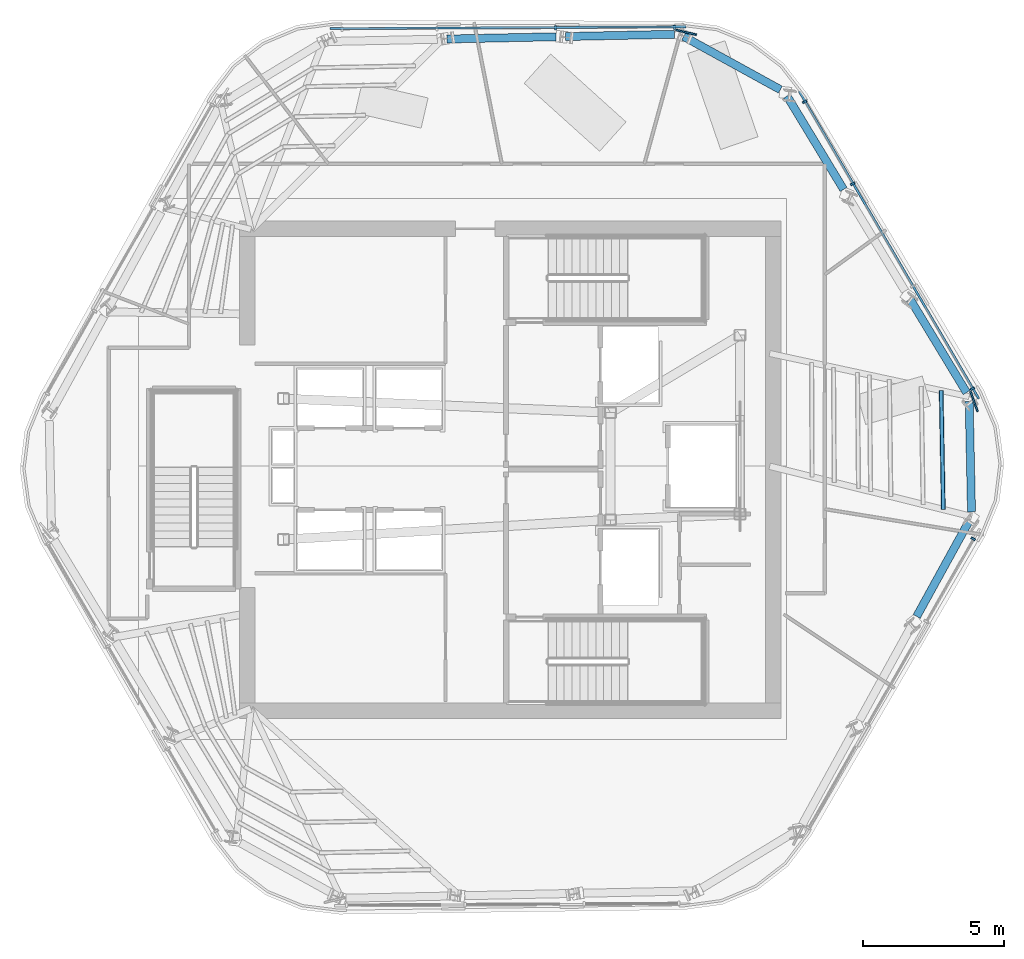
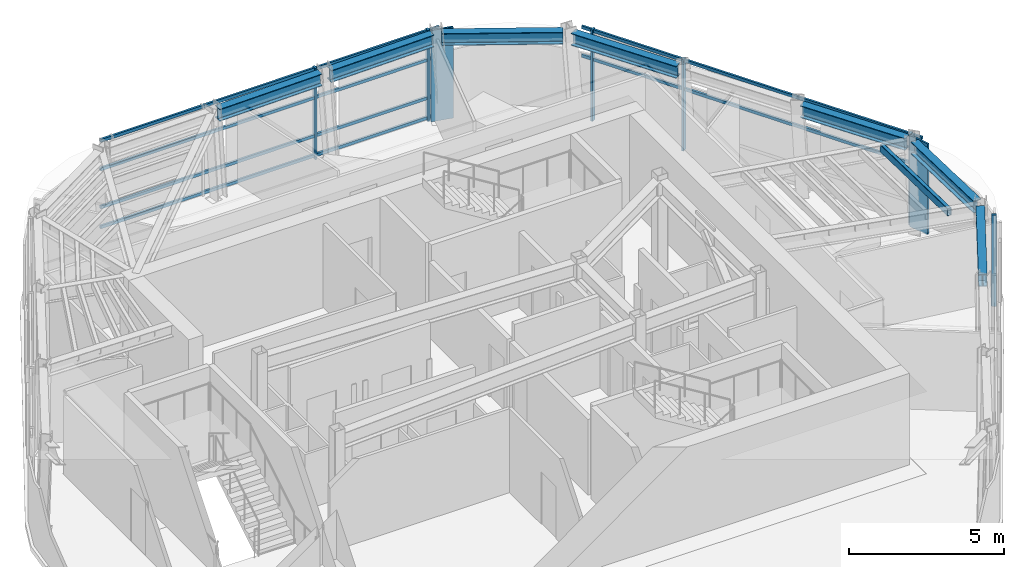
# One storey, part 5 of 13: 15 members, 7 beams, 3 elements without a shape of their own.
"""IFC4 building model written with IfcOpenShell, lengths in metres."""

from ifc_helpers import new_model, si_unit, direction, frame, origin, origin_2d, place, context, subcontext, project, spatial, rectangle, hollow_rectangle, i_section, extrude, material, layer, layer_set, material_profile, profile_set, type_object, element, aggregate, save


model = new_model("IFC4")

# Units and contexts
model_context = context("Model", 3, precision=1e-05, world=origin(), true_north=direction((0.0, 1.0)))
body_context = subcontext(model_context, "Body", "Model", "MODEL_VIEW")
ifc_project = project(units=[si_unit("LENGTHUNIT", "METRE"), si_unit("AREAUNIT", "SQUARE_METRE"), si_unit("VOLUMEUNIT", "CUBIC_METRE"), si_unit("PLANEANGLEUNIT", "RADIAN"), si_unit("MASSUNIT", "GRAM", prefix="KILO")], contexts=[model_context])

# Site, building, storey
site_placement = place(None, origin())
site = spatial("IfcSite", under=ifc_project, at=site_placement, CompositionType="ELEMENT")
building_placement = place(site_placement, origin())
building = spatial("IfcBuilding", under=site, at=building_placement, Name="Valkerne Bourse Tower", CompositionType="ELEMENT")
storey_placement = place(building_placement, frame((0.0, 0.0, 285.0)))
storey = spatial("IfcBuildingStorey", under=building, at=storey_placement, Name="L72", CompositionType="ELEMENT", Elevation=285.0)

# Beams
ifc_material_1 = material(Name="Steel ASTM A992", Category="steel")
ifc_material_profile_1 = material_profile(ifc_material_1, i_section(OverallWidth=0.284423828125, OverallDepth=0.47509765625, WebThickness=0.014892578125, FlangeThickness=0.02392578125, FilletRadius=0.017822265625, at=origin_2d()), Name="W18X106")
ifc_profile_set_1 = profile_set([ifc_material_profile_1], Name="Steel ASTM A992")
beam_type = type_object("IfcBeamType", Name="BM-W18X106", PredefinedType="BEAM", material=ifc_profile_set_1)
beam_1_placement = place(storey_placement, frame((52.62841796875, 42.32421875, 3.362548828125), z_axis=(-0.999780890421, -0.020932538035, 0.0), x_axis=(0.020932538035, -0.999780890421, 0.0)))
element("IfcBeam", 1, at=beam_1_placement, inside=storey, type_object=beam_type, Name="L72 Hexagonal Spandrel Ring Beam 00", PredefinedType="BEAM", context=body_context, shape_type="SweptSolid", body=[
    extrude(i_section(OverallWidth=0.284423828125, OverallDepth=0.47509765625, WebThickness=0.014892578125, FlangeThickness=0.02392578125, FilletRadius=0.017822265625, at=origin_2d()), origin(), (0.0, 0.0, 1.0), 3.8720703125),
])
for number, where, z_axis, x_axis, name in (
    (2, (48.417236328125, 42.23583984375, 3.362548828125), (-0.999780862792, -0.020933857622, 0.0), (0.020933857622, -0.999780862792, 0.0), "L72 Hexagonal Spandrel Ring Beam 01"),
    (3, (61.215087890625, 21.672607421875, 3.362548828125), (0.481804980044, 0.876278472408, 0.0), (-0.876278472408, 0.481804980044, 0.0), "L72 Hexagonal Spandrel Ring Beam 18"),
):
    element("IfcBeam", number, at=place(storey_placement, frame(where, z_axis=z_axis, x_axis=x_axis)), inside=storey, type_object=beam_type, Name=name, PredefinedType="BEAM", context=body_context, shape_type="SweptSolid", body=[
        extrude(i_section(OverallWidth=0.284423828125, OverallDepth=0.47509765625, WebThickness=0.014892578125, FlangeThickness=0.02392578125, FilletRadius=0.017822265625, at=origin_2d()), origin(), (0.0, 0.0, 1.0), 3.871826171875),
    ])
beam_2_placement = place(storey_placement, frame((63.158935546875, 25.384521484375, 3.362548828125), z_axis=(-0.020949564038, 0.999780533801, 0.0), x_axis=(-0.999780533801, -0.020949564038, 0.0)))
element("IfcBeam", 4, at=beam_2_placement, inside=storey, type_object=beam_type, Name="L72 Hexagonal Spandrel Ring Beam 19", PredefinedType="BEAM", context=body_context, shape_type="SweptSolid", body=[
    extrude(i_section(OverallWidth=0.284423828125, OverallDepth=0.47509765625, WebThickness=0.014892578125, FlangeThickness=0.02392578125, FilletRadius=0.017822265625, at=origin_2d()), origin(), (0.0, 0.0, 1.0), 3.915771484375),
])
beam_3_placement = place(storey_placement, frame((62.9853515625, 29.614501953125, 3.362548828125), z_axis=(-0.518033392364, 0.855360394451, 0.0), x_axis=(-0.855360394451, -0.518033392364, 0.0)))
element("IfcBeam", 5, at=beam_3_placement, inside=storey, type_object=beam_type, Name="L72 Hexagonal Spandrel Ring Beam 20", PredefinedType="BEAM", context=body_context, shape_type="SweptSolid", body=[
    extrude(i_section(OverallWidth=0.284423828125, OverallDepth=0.47509765625, WebThickness=0.014892578125, FlangeThickness=0.02392578125, FilletRadius=0.017822265625, at=origin_2d()), origin(), (0.0, 0.0, 1.0), 3.8720703125),
])
beam_4_placement = place(storey_placement, frame((58.621337890625, 36.8203125, 3.362548828125), z_axis=(-0.518015197954, 0.855371413299, 0.0), x_axis=(-0.855371413299, -0.518015197954, 0.0)))
element("IfcBeam", 6, at=beam_4_placement, inside=storey, type_object=beam_type, Name="L72 Hexagonal Spandrel Ring Beam 22", PredefinedType="BEAM", context=body_context, shape_type="SweptSolid", body=[
    extrude(i_section(OverallWidth=0.284423828125, OverallDepth=0.47509765625, WebThickness=0.014892578125, FlangeThickness=0.02392578125, FilletRadius=0.017822265625, at=origin_2d()), origin(), (0.0, 0.0, 1.0), 3.871826171875),
])
beam_5_placement = place(storey_placement, frame((56.378662109375, 40.359619140625, 3.362548828125), z_axis=(-0.876327779784, 0.481715291826, 0.0), x_axis=(-0.481715291826, -0.876327779784, 0.0)))
element("IfcBeam", 7, at=beam_5_placement, inside=storey, type_object=beam_type, Name="L72 Hexagonal Spandrel Ring Beam 23", PredefinedType="BEAM", context=body_context, shape_type="SweptSolid", body=[
    extrude(i_section(OverallWidth=0.284423828125, OverallDepth=0.47509765625, WebThickness=0.014892578125, FlangeThickness=0.02392578125, FilletRadius=0.017822265625, at=origin_2d()), origin(), (0.0, 0.0, 1.0), 3.915771484375),
])

# Curtain wall, members
ifc_material_2 = material(Name="Aluminium AA 6063-T6", Category="aluminium")
ifc_layer = layer(ifc_material_2, 0.2451171875)
ifc_layer_set = layer_set([ifc_layer], Name="Aluminium AA 6063-T6")
curtain_wall_type = type_object("IfcCurtainWallType", Name="CW-05", PredefinedType="NOTDEFINED", material=ifc_layer_set)
curtain_wall_1_placement = place(storey_placement, origin())
curtain_wall_1 = element("IfcCurtainWall", 8, at=curtain_wall_1_placement, inside=storey, type_object=curtain_wall_type, Name="L72 Hexagonal Stick Curtain Wall Face 1", PredefinedType="NOTDEFINED")
ifc_material_profile_2 = material_profile(ifc_material_2, rectangle(XDim=0.074951171875, YDim=0.159912109375, at=origin_2d()), Name="CWM-75X160")
ifc_profile_set_2 = profile_set([ifc_material_profile_2], Name="Aluminium AA 6063-T6")
member_type_1 = type_object("IfcMemberType", Name="CW-MUL-160X75", PredefinedType="MULLION", material=ifc_profile_set_2)
member_1_placement = place(storey_placement, frame((52.616455078125, 42.5693359375, 0.0), z_axis=(0.0, 0.0, 1.0), x_axis=(-0.999986358869, -0.005223224655, 0.0)))
member_1 = element("IfcMember", 9, at=member_1_placement, type_object=member_type_1, Name="CW-L72-F1 Jamb Mullion 00A", PredefinedType="MULLION", context=body_context, shape_type="SweptSolid", body=[
    extrude(rectangle(XDim=0.074951171875, YDim=0.159912109375, at=origin_2d()), origin(), (0.0, 0.0, 1.0), 3.60009765625),
])
member_2_placement = place(storey_placement, frame((48.404541015625, 42.54736328125, 0.0), z_axis=(0.0, 0.0, 1.0), x_axis=(-0.999986235233, -0.005246841359, 0.0)))
member_2 = element("IfcMember", 10, at=member_2_placement, type_object=member_type_1, Name="CW-L72-F1 Jamb Mullion 01A", PredefinedType="MULLION", context=body_context, shape_type="SweptSolid", body=[
    extrude(rectangle(XDim=0.074951171875, YDim=0.159912109375, at=origin_2d()), origin(), (0.0, 0.0, 1.0), 3.60009765625),
])

# Curtain wall, member
curtain_wall_2_placement = place(storey_placement, origin())
curtain_wall_2 = element("IfcCurtainWall", 11, at=curtain_wall_2_placement, inside=storey, type_object=curtain_wall_type, Name="L72 Hexagonal Stick Curtain Wall Face 5", PredefinedType="NOTDEFINED")
member_3_placement = place(storey_placement, frame((63.219482421875, 24.42431640625, 0.0), z_axis=(0.0, 0.0, 1.0), x_axis=(0.495461241573, 0.86863004674, 0.0)))
member_3 = element("IfcMember", 12, at=member_3_placement, type_object=member_type_1, Name="CW-L72-F5 Jamb Mullion 02B", PredefinedType="MULLION", context=body_context, shape_type="SweptSolid", body=[
    extrude(rectangle(XDim=0.074951171875, YDim=0.159912109375, at=origin_2d()), origin(), (0.0, 0.0, 1.0), 3.60009765625),
])
aggregate(curtain_wall_2, [member_3])

# Curtain wall, members
curtain_wall_3_placement = place(storey_placement, origin())
curtain_wall_3 = element("IfcCurtainWall", 13, at=curtain_wall_3_placement, inside=storey, type_object=curtain_wall_type, Name="L72 Hexagonal Stick Curtain Wall Face 6", PredefinedType="NOTDEFINED")
member_4_placement = place(storey_placement, frame((63.19189453125, 29.74755859375, 0.0), z_axis=(0.0, 0.0, 1.0), x_axis=(-0.504517454009, 0.863401493281, 0.0)))
member_4 = element("IfcMember", 14, at=member_4_placement, type_object=member_type_1, Name="CW-L72-F6 Jamb Mullion 00A", PredefinedType="MULLION", context=body_context, shape_type="SweptSolid", body=[
    extrude(rectangle(XDim=0.074951171875, YDim=0.159912109375, at=origin_2d()), origin(), (0.0, 0.0, 1.0), 3.60009765625),
])
member_5_placement = place(storey_placement, frame((58.941650390625, 37.020751953125, 0.0), z_axis=(0.0, 0.0, 1.0), x_axis=(-0.504535152451, 0.863391151183, 0.0)))
member_5 = element("IfcMember", 15, at=member_5_placement, type_object=member_type_1, Name="CW-L72-F6 Jamb Mullion 02A", PredefinedType="MULLION", context=body_context, shape_type="SweptSolid", body=[
    extrude(rectangle(XDim=0.074951171875, YDim=0.159912109375, at=origin_2d()), origin(), (0.0, 0.0, 1.0), 3.60009765625),
])
member_6_placement = place(storey_placement, frame((57.240478515625, 39.931884765625, 0.0), z_axis=(0.0, 0.0, 1.0), x_axis=(-0.504535152451, 0.863391151183, 0.0)))
member_6 = element("IfcMember", 16, at=member_6_placement, type_object=member_type_1, Name="CW-L72-F6 Jamb Mullion 02B", PredefinedType="MULLION", context=body_context, shape_type="SweptSolid", body=[
    extrude(rectangle(XDim=0.074951171875, YDim=0.159912109375, at=origin_2d()), origin(), (0.0, 0.0, 1.0), 3.60009765625),
])

# Member
ifc_material_profile_3 = material_profile(ifc_material_2, rectangle(XDim=0.074951171875, YDim=0.1201171875, at=origin_2d()), Name="CWT-75X120")
ifc_profile_set_3 = profile_set([ifc_material_profile_3], Name="Aluminium AA 6063-T6")
member_type_2 = type_object("IfcMemberType", Name="CW-TRN-120X75", PredefinedType="USERDEFINED", material=ifc_profile_set_3)
member_7_placement = place(storey_placement, frame((53.036376953125, 42.591552734375, 0.1201171875), z_axis=(-0.999986291869, -0.005236036114, 0.0), x_axis=(0.005236036114, -0.999986291869, 0.0)))
member_7 = element("IfcMember", 17, at=member_7_placement, type_object=member_type_2, Name="CW-L72-F1 Continuous Face Transom 1", ObjectType="TRANSOM", PredefinedType="USERDEFINED", context=body_context, shape_type="SweptSolid", body=[
    extrude(rectangle(XDim=0.074951171875, YDim=0.1201171875, at=origin_2d()), origin(), (0.0, 0.0, 1.0), 12.635986328125),
])

member_8_placement = place(storey_placement, frame((53.036376953125, 42.591552734375, 0.89990234375), z_axis=(-0.999986291869, -0.005236036114, 0.0), x_axis=(0.005236036114, -0.999986291869, 0.0)))
member_8 = element("IfcMember", 18, at=member_8_placement, type_object=member_type_2, Name="CW-L72-F1 Continuous Face Transom 2", ObjectType="TRANSOM", PredefinedType="USERDEFINED", context=body_context, shape_type="SweptSolid", body=[
    extrude(rectangle(XDim=0.074951171875, YDim=0.1201171875, at=origin_2d()), origin(), (0.0, 0.0, 1.0), 12.635986328125),
])

member_9_placement = place(storey_placement, frame((53.036376953125, 42.591552734375, 2.39990234375), z_axis=(-0.999986291869, -0.005236036114, 0.0), x_axis=(0.005236036114, -0.999986291869, 0.0)))
member_9 = element("IfcMember", 19, at=member_9_placement, type_object=member_type_2, Name="CW-L72-F1 Continuous Face Transom 3", ObjectType="TRANSOM", PredefinedType="USERDEFINED", context=body_context, shape_type="SweptSolid", body=[
    extrude(rectangle(XDim=0.074951171875, YDim=0.1201171875, at=origin_2d()), origin(), (0.0, 0.0, 1.0), 12.635986328125),
])

member_10_placement = place(storey_placement, frame((53.036376953125, 42.591552734375, 3.52001953125), z_axis=(-0.999986291869, -0.005236036114, 0.0), x_axis=(0.005236036114, -0.999986291869, 0.0)))
member_10 = element("IfcMember", 20, at=member_10_placement, type_object=member_type_2, Name="CW-L72-F1 Continuous Face Transom 4", ObjectType="TRANSOM", PredefinedType="USERDEFINED", context=body_context, shape_type="SweptSolid", body=[
    extrude(rectangle(XDim=0.074951171875, YDim=0.1201171875, at=origin_2d()), origin(), (0.0, 0.0, 1.0), 12.635986328125),
])

aggregate(curtain_wall_1, [member_7, member_8, member_9, member_10, member_1, member_2])

member_11_placement = place(storey_placement, frame((63.4208984375, 29.39501953125, 2.39990234375), z_axis=(-0.504536408732, 0.863390417056, 0.0), x_axis=(-0.863390417056, -0.504536408732, 0.0)))
member_11 = element("IfcMember", 21, at=member_11_placement, type_object=member_type_2, Name="CW-L72-F6 Continuous Face Transom 3", ObjectType="TRANSOM", PredefinedType="USERDEFINED", context=body_context, shape_type="SweptSolid", body=[
    extrude(rectangle(XDim=0.074951171875, YDim=0.1201171875, at=origin_2d()), origin(), (0.0, 0.0, 1.0), 12.6357421875),
])

member_12_placement = place(storey_placement, frame((63.4208984375, 29.39501953125, 3.52001953125), z_axis=(-0.504536408732, 0.863390417056, 0.0), x_axis=(-0.863390417056, -0.504536408732, 0.0)))
member_12 = element("IfcMember", 22, at=member_12_placement, type_object=member_type_2, Name="CW-L72-F6 Continuous Face Transom 4", ObjectType="TRANSOM", PredefinedType="USERDEFINED", context=body_context, shape_type="SweptSolid", body=[
    extrude(rectangle(XDim=0.074951171875, YDim=0.1201171875, at=origin_2d()), origin(), (0.0, 0.0, 1.0), 12.6357421875),
])

aggregate(curtain_wall_3, [member_11, member_12, member_4, member_5, member_6])

# Members
ifc_material_3 = material(Name="Bronze Anodised Aluminium AA 6063-T6", Category="aluminium")
ifc_material_profile_4 = material_profile(ifc_material_3, rectangle(XDim=0.06494140625, YDim=0.75, at=origin_2d()), Name="FIN-65X750")
ifc_profile_set_4 = profile_set([ifc_material_profile_4], Name="Bronze Anodised Aluminium AA 6063-T6")
member_type_3 = type_object("IfcMemberType", Name="FIN-SOLAR-650", PredefinedType="USERDEFINED", material=ifc_profile_set_4)
for number, where, z_axis, x_axis, name in (
    (23, (53.03759765625, 42.3916015625, 0.00390625), (0.0, 0.0, 1.0), (0.22482763341, 0.97439855052, 0.0), "L72 Bronze Anodised Solar Fin F1-00"),
    (24, (63.248291015625, 29.2939453125, 0.00390625), (0.0, 0.0, 1.0), (0.94060554524, 0.339501411283, 0.0), "L72 Bronze Anodised Solar Fin F6-00"),
):
    element("IfcMember", number, at=place(storey_placement, frame(where, z_axis=z_axis, x_axis=x_axis)), inside=storey, type_object=member_type_3, Name=name, ObjectType="SOLAR_FIN", PredefinedType="USERDEFINED", context=body_context, shape_type="SweptSolid", body=[
        extrude(rectangle(XDim=0.06494140625, YDim=0.75, at=origin_2d()), origin(), (0.0, 0.0, 1.0), 3.592041015625),
    ])
ifc_material_4 = material(Name="Steel ASTM A500 Grade C", Category="steel")
ifc_material_profile_5 = material_profile(ifc_material_4, hollow_rectangle(XDim=0.14990234375, YDim=0.300048828125, WallThickness=0.012451171875, OuterFilletRadius=0.02490234375, at=origin_2d()), Name="HSS300X150X12.5")
ifc_profile_set_5 = profile_set([ifc_material_profile_5], Name="Steel ASTM A500 Grade C")
member_type_4 = type_object("IfcMemberType", Name="MBR-HSS300X150X12.5", PredefinedType="PURLIN", material=ifc_profile_set_5)
member_13_placement = place(storey_placement, frame((62.159912109375, 25.464599609375, 3.43994140625), z_axis=(-0.01822508428, 0.999833909358, 0.0), x_axis=(-0.999833909358, -0.01822508428, 0.0)))
element("IfcMember", 25, at=member_13_placement, inside=storey, type_object=member_type_4, Name="L72 Secondary Composite Floor Purlin T-19", PredefinedType="PURLIN", context=body_context, shape_type="SweptSolid", body=[
    extrude(hollow_rectangle(XDim=0.14990234375, YDim=0.300048828125, WallThickness=0.012451171875, OuterFilletRadius=0.02490234375, at=origin_2d()), origin(), (0.0, 0.0, 1.0), 4.2197265625),
])

save(model, "model.ifc")
